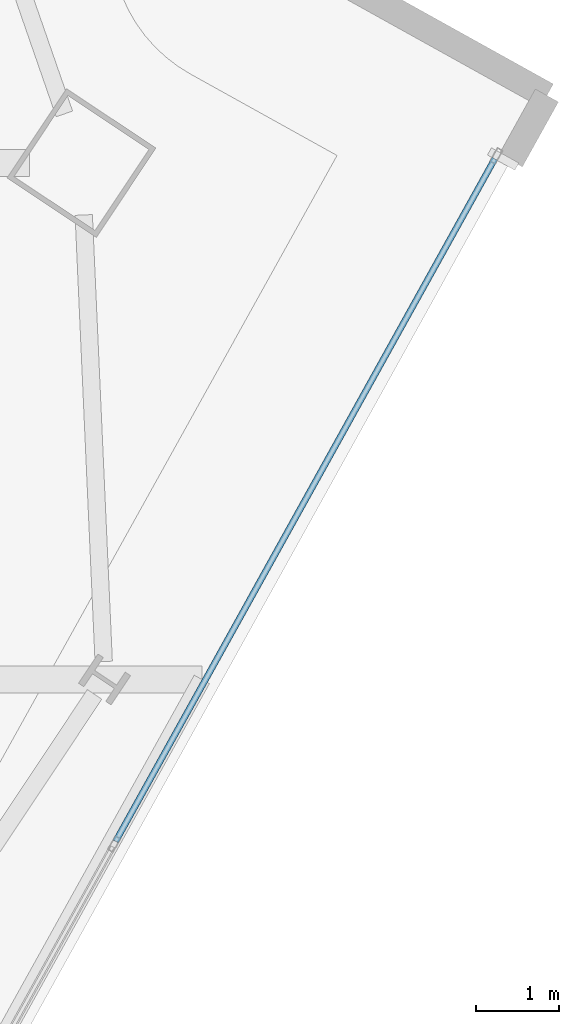
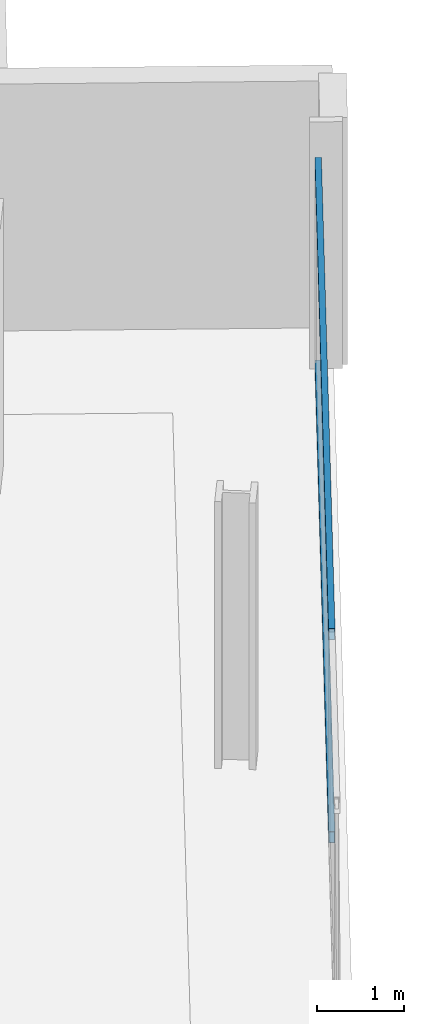
# One storey, part 11 of 28: 2 members, 1 element without a shape of its own.
"""IFC4 building model written with IfcOpenShell, lengths in metres."""

from ifc_helpers import new_model, si_unit, direction, frame, origin, origin_2d, place, context, subcontext, project, spatial, hollow_rectangle, extrude, material, material_profile, profile_set, type_object, element, aggregate, save


model = new_model("IFC4")

# Units and contexts
model_context = context("Model", 3, precision=1e-05, world=origin(), true_north=direction((0.0, 1.0)))
body_context = subcontext(model_context, "Body", "Model", "MODEL_VIEW")
ifc_project = project(units=[si_unit("LENGTHUNIT", "METRE"), si_unit("AREAUNIT", "SQUARE_METRE"), si_unit("VOLUMEUNIT", "CUBIC_METRE"), si_unit("PLANEANGLEUNIT", "RADIAN"), si_unit("MASSUNIT", "GRAM", prefix="KILO")], contexts=[model_context])

# Site, building, storey
site_placement = place(None, origin())
site = spatial("IfcSite", under=ifc_project, at=site_placement, CompositionType="ELEMENT")
building_placement = place(site_placement, origin())
building = spatial("IfcBuilding", under=site, at=building_placement, Name="Haldenkirk Collegiate Tower", CompositionType="ELEMENT")
storey_placement = place(building_placement, frame((0.0, 0.0, 232.199951171875)))
storey = spatial("IfcBuildingStorey", under=building, at=storey_placement, Name="L58", CompositionType="ELEMENT", Elevation=232.199951171875)

# Curtain wall, members
ifc_material = material(Name="Anodised architectural bronze aluminium", Category="aluminium")
curtain_wall_type = type_object("IfcCurtainWallType", Name="CW-SYS2-CONCAVE", PredefinedType="USERDEFINED", material=ifc_material)
curtain_wall_placement = place(storey_placement, origin())
curtain_wall = element("IfcCurtainWall", 1, at=curtain_wall_placement, inside=storey, type_object=curtain_wall_type, Name="L58 South concave recessed bronze-anodised curtain wall", ObjectType="UNITISED CURTAIN WALL", PredefinedType="USERDEFINED")
ifc_material_profile = material_profile(ifc_material, hollow_rectangle(XDim=0.074951171875, YDim=0.159912109375, WallThickness=0.0048828125, at=origin_2d()), Name="CW-TRN-02")
ifc_profile_set = profile_set([ifc_material_profile], Name="Anodised architectural bronze aluminium")
member_type = type_object("IfcMemberType", Name="CW-TRN-02", PredefinedType="USERDEFINED", material=ifc_profile_set)
member_1_placement = place(storey_placement, frame((65.49560546875, 31.436767578125, 0.03759765625), z_axis=(-0.48556625788, -0.874199867999, 0.0), x_axis=(0.874199867999, -0.48556625788, 0.0)))
member_1 = element("IfcMember", 2, at=member_1_placement, type_object=member_type, Name="CW-02 transom 1.1", ObjectType="TRANSOM", PredefinedType="USERDEFINED", context=body_context, shape_type="SweptSolid", body=[
    extrude(hollow_rectangle(XDim=0.074951171875, YDim=0.159912109375, WallThickness=0.0048828125, at=origin_2d()), origin(), (0.0, 0.0, 1.0), 9.462646484375),
])
member_2_placement = place(storey_placement, frame((65.49560546875, 31.436767578125, 2.890625), z_axis=(-0.48556625788, -0.874199867999, 0.0), x_axis=(0.874199867999, -0.48556625788, 0.0)))
member_2 = element("IfcMember", 3, at=member_2_placement, type_object=member_type, Name="CW-02 transom 1.2", ObjectType="TRANSOM", PredefinedType="USERDEFINED", context=body_context, shape_type="SweptSolid", body=[
    extrude(hollow_rectangle(XDim=0.074951171875, YDim=0.159912109375, WallThickness=0.0048828125, at=origin_2d()), origin(), (0.0, 0.0, 1.0), 9.462646484375),
])
aggregate(curtain_wall, [member_1, member_2])

save(model, "model.ifc")
